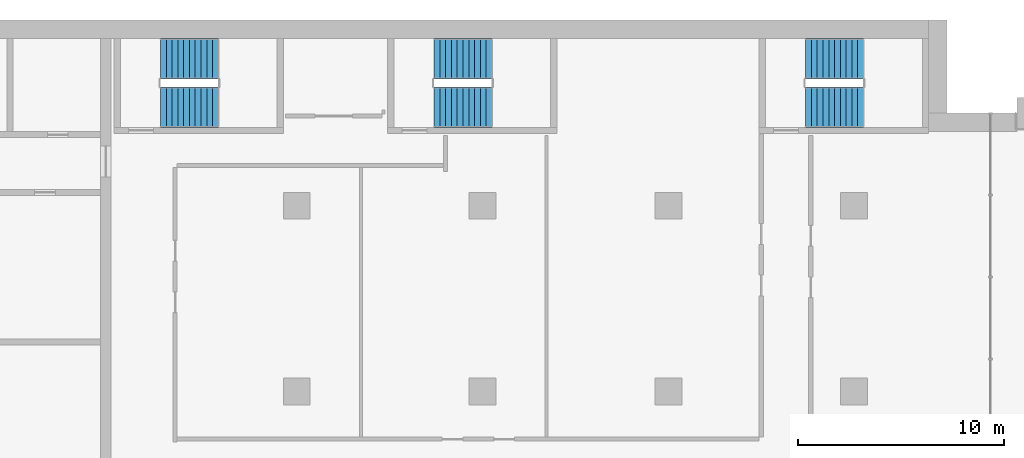
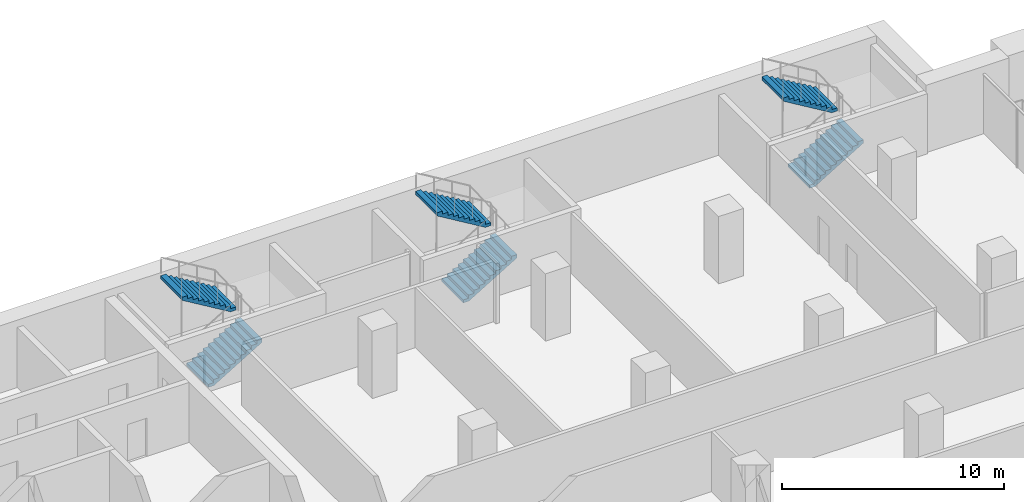
# One storey, part 18 of 23: 6 stair flights, 3 elements without a shape of their own.
"""IFC4 building model written with IfcOpenShell, lengths in metres."""

from ifc_helpers import new_model, si_unit, direction, frame, origin, place, context, subcontext, project, spatial, polyline, outline, extrude, material, type_object, element, aggregate, save


model = new_model("IFC4")

# Units and contexts
model_context = context("Model", 3, precision=1e-05, world=origin(), true_north=direction((0.0, 1.0)))
body_context = subcontext(model_context, "Body", "Model", "MODEL_VIEW")
ifc_project = project(units=[si_unit("LENGTHUNIT", "METRE"), si_unit("AREAUNIT", "SQUARE_METRE"), si_unit("VOLUMEUNIT", "CUBIC_METRE"), si_unit("PLANEANGLEUNIT", "RADIAN"), si_unit("MASSUNIT", "GRAM", prefix="KILO")], contexts=[model_context])

# Site, building, storey
site_placement = place(None, origin())
site = spatial("IfcSite", under=ifc_project, at=site_placement, CompositionType="ELEMENT")
building_placement = place(site_placement, origin())
building = spatial("IfcBuilding", under=site, at=building_placement, Name="Hunhe Ridgeline Campus", CompositionType="ELEMENT")
storey_placement = place(building_placement, frame((0.0, 0.0, 95.89990234375)))
storey = spatial("IfcBuildingStorey", under=building, at=storey_placement, Name="L23", CompositionType="ELEMENT", Elevation=95.89990234375)

# Stair, stair flights
ifc_material = material(Name="Concrete C40", Category="concrete")
stair_type = type_object("IfcStairType", Name="Reinforced concrete dog-leg stair 1950 Concrete C40", PredefinedType="HALF_TURN_STAIR", material=ifc_material)
stair_1_placement = place(storey_placement, origin())
stair_1 = element("IfcStair", 1, at=stair_1_placement, inside=storey, type_object=stair_type, Name="L23 E1", PredefinedType="HALF_TURN_STAIR")
stair_flight_type = type_object("IfcStairFlightType", Name="Reinforced concrete stair flight 1950 Concrete C40", PredefinedType="STRAIGHT", material=ifc_material)
stair_flight_1_placement = place(storey_placement, frame((38.39990234375, 94.77490234375, 0.0), z_axis=(0.0, 0.0, 1.0), x_axis=(1.0, 0.0, 0.0)))
stair_flight_1 = element("IfcStairFlight", 2, at=stair_flight_1_placement, type_object=stair_flight_type, Name="ST5 flight 1", NumberOfRisers=11, NumberOfTreads=10, PredefinedType="STRAIGHT", RiserHeight=0.168181818, TreadLength=0.28, context=body_context, shape_type="SweptSolid", body=[
    extrude(outline(polyline([(0.0, 0.0), (0.0, 0.168212890625), (0.280029296875, 0.168212890625), (0.280029296875, 0.33642578125), (0.56005859375, 0.33642578125), (0.56005859375, 0.504638671875), (0.840087890625, 0.504638671875), (0.840087890625, 0.672607421875), (1.1201171875, 0.672607421875), (1.1201171875, 0.8408203125), (1.39990234375, 0.8408203125), (1.39990234375, 1.009033203125), (1.679931640625, 1.009033203125), (1.679931640625, 1.17724609375), (1.9599609375, 1.17724609375), (1.9599609375, 1.345458984375), (2.239990234375, 1.345458984375), (2.239990234375, 1.513671875), (2.52001953125, 1.513671875), (2.52001953125, 1.681884765625), (2.800048828125, 1.681884765625), (2.800048828125, 1.85009765625), (2.800048828125, 1.5068359375), (0.291015625, 0.0), (0.0, 0.0)])), frame((0.0, 0.97509765625, 0.0), z_axis=(0.0, -1.0, 0.0), x_axis=(1.0, 0.0, 0.0)), (0.0, 0.0, 1.0), 1.949951171875),
    extrude(outline(polyline([(0.030029296875, 0.030029296875), (0.030029296875, 0.13818359375), (0.31005859375, 0.13818359375), (0.31005859375, 0.306396484375), (0.590087890625, 0.306396484375), (0.590087890625, 0.474609375), (0.8701171875, 0.474609375), (0.8701171875, 0.642578125), (1.14990234375, 0.642578125), (1.14990234375, 0.810791015625), (1.429931640625, 0.810791015625), (1.429931640625, 0.97900390625), (1.7099609375, 0.97900390625), (1.7099609375, 1.147216796875), (1.989990234375, 1.147216796875), (1.989990234375, 1.3154296875), (2.27001953125, 1.3154296875), (2.27001953125, 1.483642578125), (2.550048828125, 1.483642578125), (2.550048828125, 1.65185546875), (2.77001953125, 1.65185546875), (2.77001953125, 1.52392578125), (0.28271484375, 0.030029296875), (0.030029296875, 0.030029296875)])), frame((0.0, -0.070068359375, 0.0), z_axis=(0.0, -1.0, 0.0), x_axis=(1.0, 0.0, 0.0)), (0.0, 0.0, 1.0), 0.019775390625),
    extrude(outline(polyline([(0.030029296875, 0.030029296875), (0.030029296875, 0.13818359375), (0.31005859375, 0.13818359375), (0.31005859375, 0.306396484375), (0.590087890625, 0.306396484375), (0.590087890625, 0.474609375), (0.8701171875, 0.474609375), (0.8701171875, 0.642578125), (1.14990234375, 0.642578125), (1.14990234375, 0.810791015625), (1.429931640625, 0.810791015625), (1.429931640625, 0.97900390625), (1.7099609375, 0.97900390625), (1.7099609375, 1.147216796875), (1.989990234375, 1.147216796875), (1.989990234375, 1.3154296875), (2.27001953125, 1.3154296875), (2.27001953125, 1.483642578125), (2.550048828125, 1.483642578125), (2.550048828125, 1.65185546875), (2.77001953125, 1.65185546875), (2.77001953125, 1.52392578125), (0.28271484375, 0.030029296875), (0.030029296875, 0.030029296875)])), frame((0.0, 0.010009765625, 0.0), z_axis=(0.0, -1.0, 0.0), x_axis=(1.0, 0.0, 0.0)), (0.0, 0.0, 1.0), 0.019775390625),
    extrude(outline(polyline([(0.030029296875, 0.030029296875), (0.030029296875, 0.13818359375), (0.31005859375, 0.13818359375), (0.31005859375, 0.306396484375), (0.590087890625, 0.306396484375), (0.590087890625, 0.474609375), (0.8701171875, 0.474609375), (0.8701171875, 0.642578125), (1.14990234375, 0.642578125), (1.14990234375, 0.810791015625), (1.429931640625, 0.810791015625), (1.429931640625, 0.97900390625), (1.7099609375, 0.97900390625), (1.7099609375, 1.147216796875), (1.989990234375, 1.147216796875), (1.989990234375, 1.3154296875), (2.27001953125, 1.3154296875), (2.27001953125, 1.483642578125), (2.550048828125, 1.483642578125), (2.550048828125, 1.65185546875), (2.77001953125, 1.65185546875), (2.77001953125, 1.52392578125), (0.28271484375, 0.030029296875), (0.030029296875, 0.030029296875)])), frame((0.0, 0.090087890625, 0.0), z_axis=(0.0, -1.0, 0.0), x_axis=(1.0, 0.0, 0.0)), (0.0, 0.0, 1.0), 0.019775390625),
])
stair_flight_2_placement = place(storey_placement, frame((41.199951171875, 97.125, 1.85009765625), z_axis=(0.0, 0.0, 1.0), x_axis=(-1.0, 0.0, 0.0)))
stair_flight_2 = element("IfcStairFlight", 3, at=stair_flight_2_placement, type_object=stair_flight_type, Name="ST5 flight 2", NumberOfRisers=11, NumberOfTreads=10, PredefinedType="STRAIGHT", RiserHeight=0.168181818, TreadLength=0.28, context=body_context, shape_type="SweptSolid", body=[
    extrude(outline(polyline([(0.0, 0.0), (0.0, 0.168212890625), (0.280029296875, 0.168212890625), (0.280029296875, 0.33642578125), (0.56005859375, 0.33642578125), (0.56005859375, 0.504638671875), (0.840087890625, 0.504638671875), (0.840087890625, 0.672607421875), (1.1201171875, 0.672607421875), (1.1201171875, 0.8408203125), (1.39990234375, 0.8408203125), (1.39990234375, 1.009033203125), (1.679931640625, 1.009033203125), (1.679931640625, 1.17724609375), (1.9599609375, 1.17724609375), (1.9599609375, 1.345458984375), (2.239990234375, 1.345458984375), (2.239990234375, 1.513671875), (2.52001953125, 1.513671875), (2.52001953125, 1.681884765625), (2.800048828125, 1.681884765625), (2.800048828125, 1.85009765625), (2.800048828125, 1.5068359375), (0.291015625, 0.0), (0.0, 0.0)])), frame((0.0, 0.97509765625, 0.0), z_axis=(0.0, -1.0, 0.0), x_axis=(1.0, 0.0, 0.0)), (0.0, 0.0, 1.0), 1.949951171875),
    extrude(outline(polyline([(0.030029296875, 0.030029296875), (0.030029296875, 0.13818359375), (0.31005859375, 0.13818359375), (0.31005859375, 0.306396484375), (0.590087890625, 0.306396484375), (0.590087890625, 0.474609375), (0.8701171875, 0.474609375), (0.8701171875, 0.642578125), (1.14990234375, 0.642578125), (1.14990234375, 0.810791015625), (1.429931640625, 0.810791015625), (1.429931640625, 0.97900390625), (1.7099609375, 0.97900390625), (1.7099609375, 1.147216796875), (1.989990234375, 1.147216796875), (1.989990234375, 1.3154296875), (2.27001953125, 1.3154296875), (2.27001953125, 1.483642578125), (2.550048828125, 1.483642578125), (2.550048828125, 1.65185546875), (2.77001953125, 1.65185546875), (2.77001953125, 1.52392578125), (0.28271484375, 0.030029296875), (0.030029296875, 0.030029296875)])), frame((0.0, -0.070068359375, 0.0), z_axis=(0.0, -1.0, 0.0), x_axis=(1.0, 0.0, 0.0)), (0.0, 0.0, 1.0), 0.019775390625),
    extrude(outline(polyline([(0.030029296875, 0.030029296875), (0.030029296875, 0.13818359375), (0.31005859375, 0.13818359375), (0.31005859375, 0.306396484375), (0.590087890625, 0.306396484375), (0.590087890625, 0.474609375), (0.8701171875, 0.474609375), (0.8701171875, 0.642578125), (1.14990234375, 0.642578125), (1.14990234375, 0.810791015625), (1.429931640625, 0.810791015625), (1.429931640625, 0.97900390625), (1.7099609375, 0.97900390625), (1.7099609375, 1.147216796875), (1.989990234375, 1.147216796875), (1.989990234375, 1.3154296875), (2.27001953125, 1.3154296875), (2.27001953125, 1.483642578125), (2.550048828125, 1.483642578125), (2.550048828125, 1.65185546875), (2.77001953125, 1.65185546875), (2.77001953125, 1.52392578125), (0.28271484375, 0.030029296875), (0.030029296875, 0.030029296875)])), frame((0.0, 0.010009765625, 0.0), z_axis=(0.0, -1.0, 0.0), x_axis=(1.0, 0.0, 0.0)), (0.0, 0.0, 1.0), 0.019775390625),
    extrude(outline(polyline([(0.030029296875, 0.030029296875), (0.030029296875, 0.13818359375), (0.31005859375, 0.13818359375), (0.31005859375, 0.306396484375), (0.590087890625, 0.306396484375), (0.590087890625, 0.474609375), (0.8701171875, 0.474609375), (0.8701171875, 0.642578125), (1.14990234375, 0.642578125), (1.14990234375, 0.810791015625), (1.429931640625, 0.810791015625), (1.429931640625, 0.97900390625), (1.7099609375, 0.97900390625), (1.7099609375, 1.147216796875), (1.989990234375, 1.147216796875), (1.989990234375, 1.3154296875), (2.27001953125, 1.3154296875), (2.27001953125, 1.483642578125), (2.550048828125, 1.483642578125), (2.550048828125, 1.65185546875), (2.77001953125, 1.65185546875), (2.77001953125, 1.52392578125), (0.28271484375, 0.030029296875), (0.030029296875, 0.030029296875)])), frame((0.0, 0.090087890625, 0.0), z_axis=(0.0, -1.0, 0.0), x_axis=(1.0, 0.0, 0.0)), (0.0, 0.0, 1.0), 0.019775390625),
])
aggregate(stair_1, [stair_flight_1, stair_flight_2])

stair_2_placement = place(storey_placement, origin())
stair_2 = element("IfcStair", 4, at=stair_2_placement, inside=storey, type_object=stair_type, Name="L23 E2", PredefinedType="HALF_TURN_STAIR")
stair_flight_3_placement = place(storey_placement, frame((51.64990234375, 94.77490234375, 0.0), z_axis=(0.0, 0.0, 1.0), x_axis=(1.0, 0.0, 0.0)))
stair_flight_3 = element("IfcStairFlight", 5, at=stair_flight_3_placement, type_object=stair_flight_type, Name="ST6 flight 1", NumberOfRisers=11, NumberOfTreads=10, PredefinedType="STRAIGHT", RiserHeight=0.168181818, TreadLength=0.28, context=body_context, shape_type="SweptSolid", body=[
    extrude(outline(polyline([(0.0, 0.0), (0.0, 0.168212890625), (0.280029296875, 0.168212890625), (0.280029296875, 0.33642578125), (0.56005859375, 0.33642578125), (0.56005859375, 0.504638671875), (0.840087890625, 0.504638671875), (0.840087890625, 0.672607421875), (1.1201171875, 0.672607421875), (1.1201171875, 0.8408203125), (1.39990234375, 0.8408203125), (1.39990234375, 1.009033203125), (1.679931640625, 1.009033203125), (1.679931640625, 1.17724609375), (1.9599609375, 1.17724609375), (1.9599609375, 1.345458984375), (2.239990234375, 1.345458984375), (2.239990234375, 1.513671875), (2.52001953125, 1.513671875), (2.52001953125, 1.681884765625), (2.800048828125, 1.681884765625), (2.800048828125, 1.85009765625), (2.800048828125, 1.5068359375), (0.291015625, 0.0), (0.0, 0.0)])), frame((0.0, 0.97509765625, 0.0), z_axis=(0.0, -1.0, 0.0), x_axis=(1.0, 0.0, 0.0)), (0.0, 0.0, 1.0), 1.949951171875),
    extrude(outline(polyline([(0.030029296875, 0.030029296875), (0.030029296875, 0.13818359375), (0.31005859375, 0.13818359375), (0.31005859375, 0.306396484375), (0.590087890625, 0.306396484375), (0.590087890625, 0.474609375), (0.8701171875, 0.474609375), (0.8701171875, 0.642578125), (1.14990234375, 0.642578125), (1.14990234375, 0.810791015625), (1.429931640625, 0.810791015625), (1.429931640625, 0.97900390625), (1.7099609375, 0.97900390625), (1.7099609375, 1.147216796875), (1.989990234375, 1.147216796875), (1.989990234375, 1.3154296875), (2.27001953125, 1.3154296875), (2.27001953125, 1.483642578125), (2.550048828125, 1.483642578125), (2.550048828125, 1.65185546875), (2.77001953125, 1.65185546875), (2.77001953125, 1.52392578125), (0.28271484375, 0.030029296875), (0.030029296875, 0.030029296875)])), frame((0.0, -0.070068359375, 0.0), z_axis=(0.0, -1.0, 0.0), x_axis=(1.0, 0.0, 0.0)), (0.0, 0.0, 1.0), 0.019775390625),
    extrude(outline(polyline([(0.030029296875, 0.030029296875), (0.030029296875, 0.13818359375), (0.31005859375, 0.13818359375), (0.31005859375, 0.306396484375), (0.590087890625, 0.306396484375), (0.590087890625, 0.474609375), (0.8701171875, 0.474609375), (0.8701171875, 0.642578125), (1.14990234375, 0.642578125), (1.14990234375, 0.810791015625), (1.429931640625, 0.810791015625), (1.429931640625, 0.97900390625), (1.7099609375, 0.97900390625), (1.7099609375, 1.147216796875), (1.989990234375, 1.147216796875), (1.989990234375, 1.3154296875), (2.27001953125, 1.3154296875), (2.27001953125, 1.483642578125), (2.550048828125, 1.483642578125), (2.550048828125, 1.65185546875), (2.77001953125, 1.65185546875), (2.77001953125, 1.52392578125), (0.28271484375, 0.030029296875), (0.030029296875, 0.030029296875)])), frame((0.0, 0.010009765625, 0.0), z_axis=(0.0, -1.0, 0.0), x_axis=(1.0, 0.0, 0.0)), (0.0, 0.0, 1.0), 0.019775390625),
    extrude(outline(polyline([(0.030029296875, 0.030029296875), (0.030029296875, 0.13818359375), (0.31005859375, 0.13818359375), (0.31005859375, 0.306396484375), (0.590087890625, 0.306396484375), (0.590087890625, 0.474609375), (0.8701171875, 0.474609375), (0.8701171875, 0.642578125), (1.14990234375, 0.642578125), (1.14990234375, 0.810791015625), (1.429931640625, 0.810791015625), (1.429931640625, 0.97900390625), (1.7099609375, 0.97900390625), (1.7099609375, 1.147216796875), (1.989990234375, 1.147216796875), (1.989990234375, 1.3154296875), (2.27001953125, 1.3154296875), (2.27001953125, 1.483642578125), (2.550048828125, 1.483642578125), (2.550048828125, 1.65185546875), (2.77001953125, 1.65185546875), (2.77001953125, 1.52392578125), (0.28271484375, 0.030029296875), (0.030029296875, 0.030029296875)])), frame((0.0, 0.090087890625, 0.0), z_axis=(0.0, -1.0, 0.0), x_axis=(1.0, 0.0, 0.0)), (0.0, 0.0, 1.0), 0.019775390625),
])
stair_flight_4_placement = place(storey_placement, frame((54.449951171875, 97.125, 1.85009765625), z_axis=(0.0, 0.0, 1.0), x_axis=(-1.0, 0.0, 0.0)))
stair_flight_4 = element("IfcStairFlight", 6, at=stair_flight_4_placement, type_object=stair_flight_type, Name="ST6 flight 2", NumberOfRisers=11, NumberOfTreads=10, PredefinedType="STRAIGHT", RiserHeight=0.168181818, TreadLength=0.28, context=body_context, shape_type="SweptSolid", body=[
    extrude(outline(polyline([(0.0, 0.0), (0.0, 0.168212890625), (0.280029296875, 0.168212890625), (0.280029296875, 0.33642578125), (0.56005859375, 0.33642578125), (0.56005859375, 0.504638671875), (0.840087890625, 0.504638671875), (0.840087890625, 0.672607421875), (1.1201171875, 0.672607421875), (1.1201171875, 0.8408203125), (1.39990234375, 0.8408203125), (1.39990234375, 1.009033203125), (1.679931640625, 1.009033203125), (1.679931640625, 1.17724609375), (1.9599609375, 1.17724609375), (1.9599609375, 1.345458984375), (2.239990234375, 1.345458984375), (2.239990234375, 1.513671875), (2.52001953125, 1.513671875), (2.52001953125, 1.681884765625), (2.800048828125, 1.681884765625), (2.800048828125, 1.85009765625), (2.800048828125, 1.5068359375), (0.291015625, 0.0), (0.0, 0.0)])), frame((0.0, 0.97509765625, 0.0), z_axis=(0.0, -1.0, 0.0), x_axis=(1.0, 0.0, 0.0)), (0.0, 0.0, 1.0), 1.949951171875),
    extrude(outline(polyline([(0.030029296875, 0.030029296875), (0.030029296875, 0.13818359375), (0.31005859375, 0.13818359375), (0.31005859375, 0.306396484375), (0.590087890625, 0.306396484375), (0.590087890625, 0.474609375), (0.8701171875, 0.474609375), (0.8701171875, 0.642578125), (1.14990234375, 0.642578125), (1.14990234375, 0.810791015625), (1.429931640625, 0.810791015625), (1.429931640625, 0.97900390625), (1.7099609375, 0.97900390625), (1.7099609375, 1.147216796875), (1.989990234375, 1.147216796875), (1.989990234375, 1.3154296875), (2.27001953125, 1.3154296875), (2.27001953125, 1.483642578125), (2.550048828125, 1.483642578125), (2.550048828125, 1.65185546875), (2.77001953125, 1.65185546875), (2.77001953125, 1.52392578125), (0.28271484375, 0.030029296875), (0.030029296875, 0.030029296875)])), frame((0.0, -0.070068359375, 0.0), z_axis=(0.0, -1.0, 0.0), x_axis=(1.0, 0.0, 0.0)), (0.0, 0.0, 1.0), 0.019775390625),
    extrude(outline(polyline([(0.030029296875, 0.030029296875), (0.030029296875, 0.13818359375), (0.31005859375, 0.13818359375), (0.31005859375, 0.306396484375), (0.590087890625, 0.306396484375), (0.590087890625, 0.474609375), (0.8701171875, 0.474609375), (0.8701171875, 0.642578125), (1.14990234375, 0.642578125), (1.14990234375, 0.810791015625), (1.429931640625, 0.810791015625), (1.429931640625, 0.97900390625), (1.7099609375, 0.97900390625), (1.7099609375, 1.147216796875), (1.989990234375, 1.147216796875), (1.989990234375, 1.3154296875), (2.27001953125, 1.3154296875), (2.27001953125, 1.483642578125), (2.550048828125, 1.483642578125), (2.550048828125, 1.65185546875), (2.77001953125, 1.65185546875), (2.77001953125, 1.52392578125), (0.28271484375, 0.030029296875), (0.030029296875, 0.030029296875)])), frame((0.0, 0.010009765625, 0.0), z_axis=(0.0, -1.0, 0.0), x_axis=(1.0, 0.0, 0.0)), (0.0, 0.0, 1.0), 0.019775390625),
    extrude(outline(polyline([(0.030029296875, 0.030029296875), (0.030029296875, 0.13818359375), (0.31005859375, 0.13818359375), (0.31005859375, 0.306396484375), (0.590087890625, 0.306396484375), (0.590087890625, 0.474609375), (0.8701171875, 0.474609375), (0.8701171875, 0.642578125), (1.14990234375, 0.642578125), (1.14990234375, 0.810791015625), (1.429931640625, 0.810791015625), (1.429931640625, 0.97900390625), (1.7099609375, 0.97900390625), (1.7099609375, 1.147216796875), (1.989990234375, 1.147216796875), (1.989990234375, 1.3154296875), (2.27001953125, 1.3154296875), (2.27001953125, 1.483642578125), (2.550048828125, 1.483642578125), (2.550048828125, 1.65185546875), (2.77001953125, 1.65185546875), (2.77001953125, 1.52392578125), (0.28271484375, 0.030029296875), (0.030029296875, 0.030029296875)])), frame((0.0, 0.090087890625, 0.0), z_axis=(0.0, -1.0, 0.0), x_axis=(1.0, 0.0, 0.0)), (0.0, 0.0, 1.0), 0.019775390625),
])
aggregate(stair_2, [stair_flight_3, stair_flight_4])

stair_3_placement = place(storey_placement, origin())
stair_3 = element("IfcStair", 7, at=stair_3_placement, inside=storey, type_object=stair_type, Name="L23 E3", PredefinedType="HALF_TURN_STAIR")
stair_flight_5_placement = place(storey_placement, frame((69.64990234375, 94.77490234375, 0.0), z_axis=(0.0, 0.0, 1.0), x_axis=(1.0, 0.0, 0.0)))
stair_flight_5 = element("IfcStairFlight", 8, at=stair_flight_5_placement, type_object=stair_flight_type, Name="ST7 flight 1", NumberOfRisers=11, NumberOfTreads=10, PredefinedType="STRAIGHT", RiserHeight=0.168181818, TreadLength=0.28, context=body_context, shape_type="SweptSolid", body=[
    extrude(outline(polyline([(0.0, 0.0), (0.0, 0.168212890625), (0.280029296875, 0.168212890625), (0.280029296875, 0.33642578125), (0.56005859375, 0.33642578125), (0.56005859375, 0.504638671875), (0.840087890625, 0.504638671875), (0.840087890625, 0.672607421875), (1.1201171875, 0.672607421875), (1.1201171875, 0.8408203125), (1.39990234375, 0.8408203125), (1.39990234375, 1.009033203125), (1.679931640625, 1.009033203125), (1.679931640625, 1.17724609375), (1.9599609375, 1.17724609375), (1.9599609375, 1.345458984375), (2.239990234375, 1.345458984375), (2.239990234375, 1.513671875), (2.52001953125, 1.513671875), (2.52001953125, 1.681884765625), (2.800048828125, 1.681884765625), (2.800048828125, 1.85009765625), (2.800048828125, 1.5068359375), (0.291015625, 0.0), (0.0, 0.0)])), frame((0.0, 0.97509765625, 0.0), z_axis=(0.0, -1.0, 0.0), x_axis=(1.0, 0.0, 0.0)), (0.0, 0.0, 1.0), 1.949951171875),
    extrude(outline(polyline([(0.030029296875, 0.030029296875), (0.030029296875, 0.13818359375), (0.31005859375, 0.13818359375), (0.31005859375, 0.306396484375), (0.590087890625, 0.306396484375), (0.590087890625, 0.474609375), (0.8701171875, 0.474609375), (0.8701171875, 0.642578125), (1.14990234375, 0.642578125), (1.14990234375, 0.810791015625), (1.429931640625, 0.810791015625), (1.429931640625, 0.97900390625), (1.7099609375, 0.97900390625), (1.7099609375, 1.147216796875), (1.989990234375, 1.147216796875), (1.989990234375, 1.3154296875), (2.27001953125, 1.3154296875), (2.27001953125, 1.483642578125), (2.550048828125, 1.483642578125), (2.550048828125, 1.65185546875), (2.77001953125, 1.65185546875), (2.77001953125, 1.52392578125), (0.28271484375, 0.030029296875), (0.030029296875, 0.030029296875)])), frame((0.0, -0.070068359375, 0.0), z_axis=(0.0, -1.0, 0.0), x_axis=(1.0, 0.0, 0.0)), (0.0, 0.0, 1.0), 0.019775390625),
    extrude(outline(polyline([(0.030029296875, 0.030029296875), (0.030029296875, 0.13818359375), (0.31005859375, 0.13818359375), (0.31005859375, 0.306396484375), (0.590087890625, 0.306396484375), (0.590087890625, 0.474609375), (0.8701171875, 0.474609375), (0.8701171875, 0.642578125), (1.14990234375, 0.642578125), (1.14990234375, 0.810791015625), (1.429931640625, 0.810791015625), (1.429931640625, 0.97900390625), (1.7099609375, 0.97900390625), (1.7099609375, 1.147216796875), (1.989990234375, 1.147216796875), (1.989990234375, 1.3154296875), (2.27001953125, 1.3154296875), (2.27001953125, 1.483642578125), (2.550048828125, 1.483642578125), (2.550048828125, 1.65185546875), (2.77001953125, 1.65185546875), (2.77001953125, 1.52392578125), (0.28271484375, 0.030029296875), (0.030029296875, 0.030029296875)])), frame((0.0, 0.010009765625, 0.0), z_axis=(0.0, -1.0, 0.0), x_axis=(1.0, 0.0, 0.0)), (0.0, 0.0, 1.0), 0.019775390625),
    extrude(outline(polyline([(0.030029296875, 0.030029296875), (0.030029296875, 0.13818359375), (0.31005859375, 0.13818359375), (0.31005859375, 0.306396484375), (0.590087890625, 0.306396484375), (0.590087890625, 0.474609375), (0.8701171875, 0.474609375), (0.8701171875, 0.642578125), (1.14990234375, 0.642578125), (1.14990234375, 0.810791015625), (1.429931640625, 0.810791015625), (1.429931640625, 0.97900390625), (1.7099609375, 0.97900390625), (1.7099609375, 1.147216796875), (1.989990234375, 1.147216796875), (1.989990234375, 1.3154296875), (2.27001953125, 1.3154296875), (2.27001953125, 1.483642578125), (2.550048828125, 1.483642578125), (2.550048828125, 1.65185546875), (2.77001953125, 1.65185546875), (2.77001953125, 1.52392578125), (0.28271484375, 0.030029296875), (0.030029296875, 0.030029296875)])), frame((0.0, 0.090087890625, 0.0), z_axis=(0.0, -1.0, 0.0), x_axis=(1.0, 0.0, 0.0)), (0.0, 0.0, 1.0), 0.019775390625),
])
stair_flight_6_placement = place(storey_placement, frame((72.449951171875, 97.125, 1.85009765625), z_axis=(0.0, 0.0, 1.0), x_axis=(-1.0, 0.0, 0.0)))
stair_flight_6 = element("IfcStairFlight", 9, at=stair_flight_6_placement, type_object=stair_flight_type, Name="ST7 flight 2", NumberOfRisers=11, NumberOfTreads=10, PredefinedType="STRAIGHT", RiserHeight=0.168181818, TreadLength=0.28, context=body_context, shape_type="SweptSolid", body=[
    extrude(outline(polyline([(0.0, 0.0), (0.0, 0.168212890625), (0.280029296875, 0.168212890625), (0.280029296875, 0.33642578125), (0.56005859375, 0.33642578125), (0.56005859375, 0.504638671875), (0.840087890625, 0.504638671875), (0.840087890625, 0.672607421875), (1.1201171875, 0.672607421875), (1.1201171875, 0.8408203125), (1.39990234375, 0.8408203125), (1.39990234375, 1.009033203125), (1.679931640625, 1.009033203125), (1.679931640625, 1.17724609375), (1.9599609375, 1.17724609375), (1.9599609375, 1.345458984375), (2.239990234375, 1.345458984375), (2.239990234375, 1.513671875), (2.52001953125, 1.513671875), (2.52001953125, 1.681884765625), (2.800048828125, 1.681884765625), (2.800048828125, 1.85009765625), (2.800048828125, 1.5068359375), (0.291015625, 0.0), (0.0, 0.0)])), frame((0.0, 0.97509765625, 0.0), z_axis=(0.0, -1.0, 0.0), x_axis=(1.0, 0.0, 0.0)), (0.0, 0.0, 1.0), 1.949951171875),
    extrude(outline(polyline([(0.030029296875, 0.030029296875), (0.030029296875, 0.13818359375), (0.31005859375, 0.13818359375), (0.31005859375, 0.306396484375), (0.590087890625, 0.306396484375), (0.590087890625, 0.474609375), (0.8701171875, 0.474609375), (0.8701171875, 0.642578125), (1.14990234375, 0.642578125), (1.14990234375, 0.810791015625), (1.429931640625, 0.810791015625), (1.429931640625, 0.97900390625), (1.7099609375, 0.97900390625), (1.7099609375, 1.147216796875), (1.989990234375, 1.147216796875), (1.989990234375, 1.3154296875), (2.27001953125, 1.3154296875), (2.27001953125, 1.483642578125), (2.550048828125, 1.483642578125), (2.550048828125, 1.65185546875), (2.77001953125, 1.65185546875), (2.77001953125, 1.52392578125), (0.28271484375, 0.030029296875), (0.030029296875, 0.030029296875)])), frame((0.0, -0.070068359375, 0.0), z_axis=(0.0, -1.0, 0.0), x_axis=(1.0, 0.0, 0.0)), (0.0, 0.0, 1.0), 0.019775390625),
    extrude(outline(polyline([(0.030029296875, 0.030029296875), (0.030029296875, 0.13818359375), (0.31005859375, 0.13818359375), (0.31005859375, 0.306396484375), (0.590087890625, 0.306396484375), (0.590087890625, 0.474609375), (0.8701171875, 0.474609375), (0.8701171875, 0.642578125), (1.14990234375, 0.642578125), (1.14990234375, 0.810791015625), (1.429931640625, 0.810791015625), (1.429931640625, 0.97900390625), (1.7099609375, 0.97900390625), (1.7099609375, 1.147216796875), (1.989990234375, 1.147216796875), (1.989990234375, 1.3154296875), (2.27001953125, 1.3154296875), (2.27001953125, 1.483642578125), (2.550048828125, 1.483642578125), (2.550048828125, 1.65185546875), (2.77001953125, 1.65185546875), (2.77001953125, 1.52392578125), (0.28271484375, 0.030029296875), (0.030029296875, 0.030029296875)])), frame((0.0, 0.010009765625, 0.0), z_axis=(0.0, -1.0, 0.0), x_axis=(1.0, 0.0, 0.0)), (0.0, 0.0, 1.0), 0.019775390625),
    extrude(outline(polyline([(0.030029296875, 0.030029296875), (0.030029296875, 0.13818359375), (0.31005859375, 0.13818359375), (0.31005859375, 0.306396484375), (0.590087890625, 0.306396484375), (0.590087890625, 0.474609375), (0.8701171875, 0.474609375), (0.8701171875, 0.642578125), (1.14990234375, 0.642578125), (1.14990234375, 0.810791015625), (1.429931640625, 0.810791015625), (1.429931640625, 0.97900390625), (1.7099609375, 0.97900390625), (1.7099609375, 1.147216796875), (1.989990234375, 1.147216796875), (1.989990234375, 1.3154296875), (2.27001953125, 1.3154296875), (2.27001953125, 1.483642578125), (2.550048828125, 1.483642578125), (2.550048828125, 1.65185546875), (2.77001953125, 1.65185546875), (2.77001953125, 1.52392578125), (0.28271484375, 0.030029296875), (0.030029296875, 0.030029296875)])), frame((0.0, 0.090087890625, 0.0), z_axis=(0.0, -1.0, 0.0), x_axis=(1.0, 0.0, 0.0)), (0.0, 0.0, 1.0), 0.019775390625),
])
aggregate(stair_3, [stair_flight_5, stair_flight_6])

save(model, "model.ifc")
